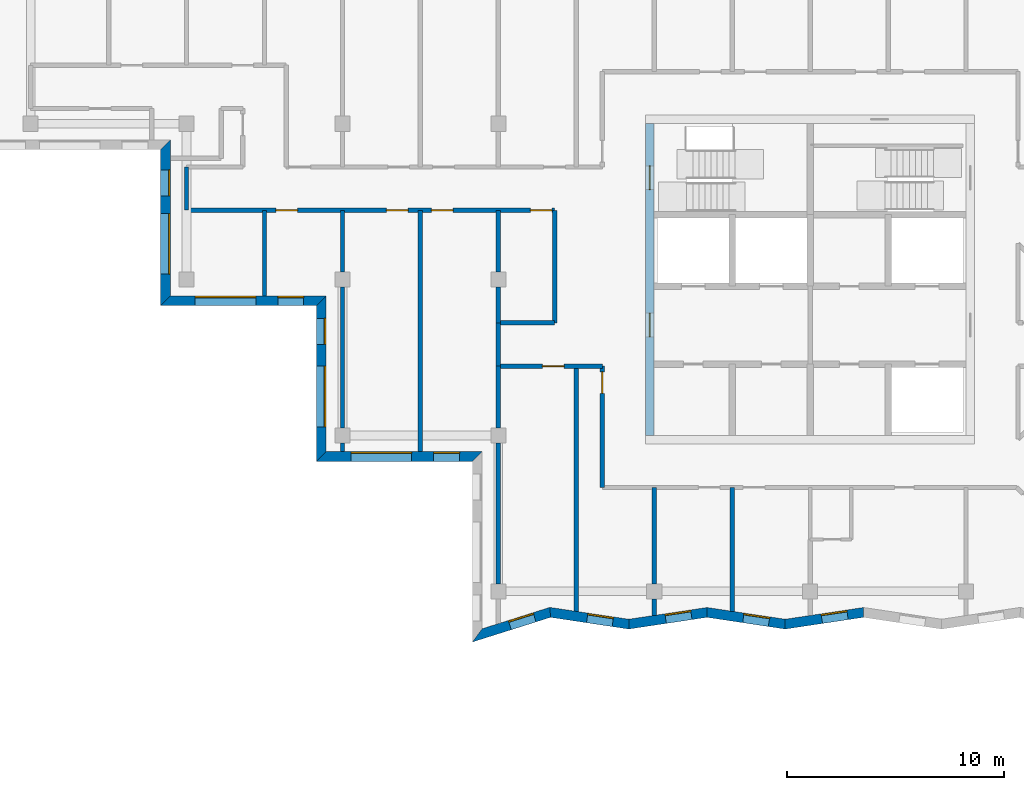
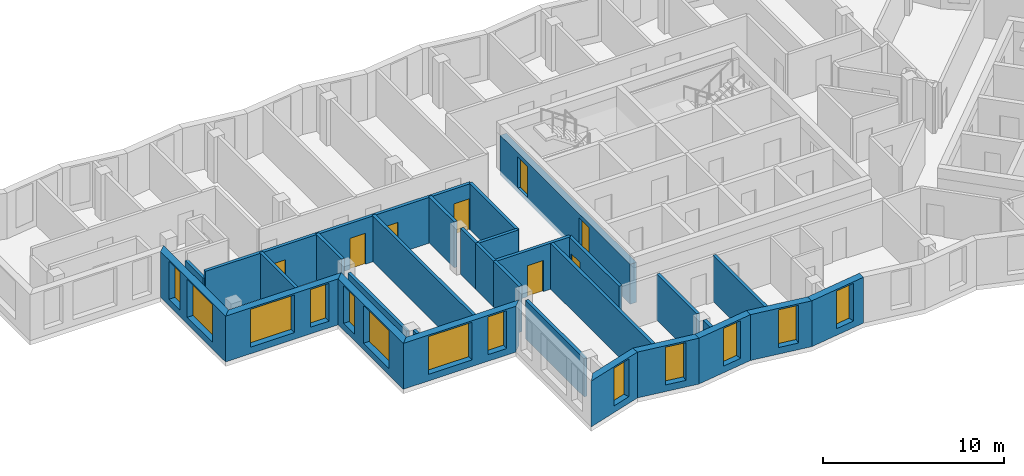
# One storey, part 2 of 11: 30 walls, 13 windows, 8 doors, 21 openings.
"""IFC4 building model written with IfcOpenShell, lengths in metres."""

from ifc_helpers import new_model, si_unit, direction, frame, frame_2d, origin, place, context, subcontext, project, spatial, polyline, rectangle, outline, extrude, material, layer, layer_set, type_object, element, fill, save


model = new_model("IFC4")

# Units and contexts
model_context = context("Model", 3, precision=1e-05, world=origin(), true_north=direction((0.0, 1.0)))
body_context = subcontext(model_context, "Body", "Model", "MODEL_VIEW")
ifc_project = project(units=[si_unit("LENGTHUNIT", "METRE"), si_unit("AREAUNIT", "SQUARE_METRE"), si_unit("VOLUMEUNIT", "CUBIC_METRE"), si_unit("PLANEANGLEUNIT", "RADIAN"), si_unit("MASSUNIT", "GRAM", prefix="KILO")], contexts=[model_context])

# Site, building, storey
site_placement = place(None, origin())
site = spatial("IfcSite", under=ifc_project, at=site_placement, CompositionType="ELEMENT")
building_placement = place(site_placement, origin())
building = spatial("IfcBuilding", under=site, at=building_placement, Name="Windrow Commons", CompositionType="ELEMENT")
storey_placement = place(building_placement, frame((0.0, 0.0, 271.0)))
storey = spatial("IfcBuildingStorey", under=building, at=storey_placement, Name="L74", CompositionType="ELEMENT", Elevation=271.0)

# Wall, openings, windows
ifc_material_1 = material(Name="Brick masonry, red clay brick", Category="masonry")
ifc_layer_1 = layer(ifc_material_1, 0.45)
ifc_layer_set_1 = layer_set([ifc_layer_1], Name="Brick facade wall 450")
wall_type_1 = type_object("IfcWallType", Name="Brick facade wall 450", PredefinedType="SOLIDWALL", material=ifc_layer_set_1)
wall_1_placement = place(storey_placement, frame((35.025, 63.825, 0.0), z_axis=(0.0, 0.0, 1.0), x_axis=(0.0, -1.0, 0.0)))
wall_1 = element("IfcWall", 1, at=wall_1_placement, inside=storey, type_object=wall_type_1, Name="Brick facade wall L74 33", PredefinedType="SOLIDWALL", context=body_context, shape_type="SweptSolid", body=[
    extrude(outline(polyline([(0.225, -0.225), (7.425, -0.225), (6.975, 0.225), (-0.225, 0.225), (0.225, -0.225)])), origin(), (0.0, 0.0, 1.0), 3.1),
])
opening_1_placement = place(wall_1_placement, frame((3.175, 0.0, 0.45)))
opening_1 = element("IfcOpeningElement", 2, at=opening_1_placement, cuts=wall_1, Name="Opening W1V", PredefinedType="OPENING", context=body_context, shape_type="SweptSolid", body=[
    extrude(rectangle(XDim=2.8, YDim=2.55, at=frame_2d((1.4, 1.275))), frame((0.0, 0.235, 0.0), z_axis=(0.0, -1.0, 0.0), x_axis=(1.0, 0.0, 0.0)), (0.0, 0.0, 1.0), 0.47),
])
opening_2_placement = place(wall_1_placement, frame((1.1625, 0.0, 0.45)))
opening_2 = element("IfcOpeningElement", 3, at=opening_2_placement, cuts=wall_1, Name="Opening W7F", PredefinedType="OPENING", context=body_context, shape_type="SweptSolid", body=[
    extrude(rectangle(XDim=1.2, YDim=2.55, at=frame_2d((0.6, 1.275))), frame((0.0, 0.235, 0.0), z_axis=(0.0, -1.0, 0.0), x_axis=(1.0, 0.0, 0.0)), (0.0, 0.0, 1.0), 0.47),
])
ifc_material_2 = material(Name="Clear float glass in anodised aluminium frame", Category="aluminium")
window_type_1 = type_object("IfcWindowType", Name="Window W1V bedroom 2800x2550", PartitioningType="SINGLE_PANEL", PredefinedType="WINDOW", material=ifc_material_2)
window_1_placement = place(opening_1_placement, origin())
window_1 = element("IfcWindow", 4, at=window_1_placement, inside=storey, type_object=window_type_1, Name="Window L74 33.1", OverallHeight=2.55, OverallWidth=2.8, PartitioningType="SINGLE_PANEL", PredefinedType="WINDOW", context=body_context, shape_type="SweptSolid", body=[
    extrude(rectangle(XDim=2.8, YDim=2.55, at=frame_2d((1.4, 1.275))), frame((0.0, 0.205, 0.0), z_axis=(0.0, -1.0, 0.0), x_axis=(1.0, 0.0, 0.0)), (0.0, 0.0, 1.0), 0.06),
])
fill(opening_1, window_1)
ifc_material_3 = material(Name="Clear float glass in anodised aluminium frame", Category="aluminium")
window_type_2 = type_object("IfcWindowType", Name="Window W7 notch 1200x2550", PartitioningType="SINGLE_PANEL", PredefinedType="WINDOW", material=ifc_material_3)
window_2_placement = place(opening_2_placement, origin())
window_2 = element("IfcWindow", 5, at=window_2_placement, inside=storey, type_object=window_type_2, Name="Window L74 33.2", OverallHeight=2.55, OverallWidth=1.2, PartitioningType="SINGLE_PANEL", PredefinedType="WINDOW", context=body_context, shape_type="SweptSolid", body=[
    extrude(rectangle(XDim=1.2, YDim=2.55, at=frame_2d((0.6, 1.275))), frame((0.0, 0.205, 0.0), z_axis=(0.0, -1.0, 0.0), x_axis=(1.0, 0.0, 0.0)), (0.0, 0.0, 1.0), 0.06),
])
fill(opening_2, window_2)

wall_2_placement = place(storey_placement, frame((35.025, 56.625, 0.0), z_axis=(0.0, 0.0, 1.0), x_axis=(1.0, 0.0, 0.0)))
wall_2 = element("IfcWall", 6, at=wall_2_placement, inside=storey, type_object=wall_type_1, Name="Brick facade wall L74 34", PredefinedType="SOLIDWALL", context=body_context, shape_type="SweptSolid", body=[
    extrude(outline(polyline([(-0.225, -0.225), (6.975, -0.225), (7.425, 0.225), (0.225, 0.225), (-0.225, -0.225)])), origin(), (0.0, 0.0, 1.0), 3.1),
])
opening_3_placement = place(wall_2_placement, frame((1.375, 0.0, 0.45)))
opening_3 = element("IfcOpeningElement", 7, at=opening_3_placement, cuts=wall_2, Name="Opening W1V", PredefinedType="OPENING", context=body_context, shape_type="SweptSolid", body=[
    extrude(rectangle(XDim=2.8, YDim=2.55, at=frame_2d((1.4, 1.275))), frame((0.0, 0.235, 0.0), z_axis=(0.0, -1.0, 0.0), x_axis=(1.0, 0.0, 0.0)), (0.0, 0.0, 1.0), 0.47),
])
opening_4_placement = place(wall_2_placement, frame((5.1875, 0.0, 0.45)))
opening_4 = element("IfcOpeningElement", 8, at=opening_4_placement, cuts=wall_2, Name="Opening W7F", PredefinedType="OPENING", context=body_context, shape_type="SweptSolid", body=[
    extrude(rectangle(XDim=1.2, YDim=2.55, at=frame_2d((0.6, 1.275))), frame((0.0, 0.235, 0.0), z_axis=(0.0, -1.0, 0.0), x_axis=(1.0, 0.0, 0.0)), (0.0, 0.0, 1.0), 0.47),
])
window_3_placement = place(opening_3_placement, origin())
window_3 = element("IfcWindow", 9, at=window_3_placement, inside=storey, type_object=window_type_1, Name="Window L74 34.1", OverallHeight=2.55, OverallWidth=2.8, PartitioningType="SINGLE_PANEL", PredefinedType="WINDOW", context=body_context, shape_type="SweptSolid", body=[
    extrude(rectangle(XDim=2.8, YDim=2.55, at=frame_2d((1.4, 1.275))), frame((0.0, 0.205, 0.0), z_axis=(0.0, -1.0, 0.0), x_axis=(1.0, 0.0, 0.0)), (0.0, 0.0, 1.0), 0.06),
])
fill(opening_3, window_3)
window_4_placement = place(opening_4_placement, origin())
window_4 = element("IfcWindow", 10, at=window_4_placement, inside=storey, type_object=window_type_2, Name="Window L74 34.2", OverallHeight=2.55, OverallWidth=1.2, PartitioningType="SINGLE_PANEL", PredefinedType="WINDOW", context=body_context, shape_type="SweptSolid", body=[
    extrude(rectangle(XDim=1.2, YDim=2.55, at=frame_2d((0.6, 1.275))), frame((0.0, 0.205, 0.0), z_axis=(0.0, -1.0, 0.0), x_axis=(1.0, 0.0, 0.0)), (0.0, 0.0, 1.0), 0.06),
])
fill(opening_4, window_4)

wall_3_placement = place(storey_placement, frame((42.225, 56.625, 0.0), z_axis=(0.0, 0.0, 1.0), x_axis=(0.0, -1.0, 0.0)))
wall_3 = element("IfcWall", 11, at=wall_3_placement, inside=storey, type_object=wall_type_1, Name="Brick facade wall L74 35", PredefinedType="SOLIDWALL", context=body_context, shape_type="SweptSolid", body=[
    extrude(outline(polyline([(0.225, -0.225), (7.425, -0.225), (6.975, 0.225), (-0.225, 0.225), (0.225, -0.225)])), origin(), (0.0, 0.0, 1.0), 3.1),
])
opening_5_placement = place(wall_3_placement, frame((3.025, 0.0, 0.45)))
opening_5 = element("IfcOpeningElement", 12, at=opening_5_placement, cuts=wall_3, Name="Opening W1V", PredefinedType="OPENING", context=body_context, shape_type="SweptSolid", body=[
    extrude(rectangle(XDim=2.8, YDim=2.55, at=frame_2d((1.4, 1.275))), frame((0.0, 0.235, 0.0), z_axis=(0.0, -1.0, 0.0), x_axis=(1.0, 0.0, 0.0)), (0.0, 0.0, 1.0), 0.47),
])
opening_6_placement = place(wall_3_placement, frame((0.8125, 0.0, 0.45)))
opening_6 = element("IfcOpeningElement", 13, at=opening_6_placement, cuts=wall_3, Name="Opening W7F", PredefinedType="OPENING", context=body_context, shape_type="SweptSolid", body=[
    extrude(rectangle(XDim=1.2, YDim=2.55, at=frame_2d((0.6, 1.275))), frame((0.0, 0.235, 0.0), z_axis=(0.0, -1.0, 0.0), x_axis=(1.0, 0.0, 0.0)), (0.0, 0.0, 1.0), 0.47),
])
window_5_placement = place(opening_5_placement, origin())
window_5 = element("IfcWindow", 14, at=window_5_placement, inside=storey, type_object=window_type_1, Name="Window L74 35.1", OverallHeight=2.55, OverallWidth=2.8, PartitioningType="SINGLE_PANEL", PredefinedType="WINDOW", context=body_context, shape_type="SweptSolid", body=[
    extrude(rectangle(XDim=2.8, YDim=2.55, at=frame_2d((1.4, 1.275))), frame((0.0, 0.205, 0.0), z_axis=(0.0, -1.0, 0.0), x_axis=(1.0, 0.0, 0.0)), (0.0, 0.0, 1.0), 0.06),
])
fill(opening_5, window_5)
window_6_placement = place(opening_6_placement, origin())
window_6 = element("IfcWindow", 15, at=window_6_placement, inside=storey, type_object=window_type_2, Name="Window L74 35.2", OverallHeight=2.55, OverallWidth=1.2, PartitioningType="SINGLE_PANEL", PredefinedType="WINDOW", context=body_context, shape_type="SweptSolid", body=[
    extrude(rectangle(XDim=1.2, YDim=2.55, at=frame_2d((0.6, 1.275))), frame((0.0, 0.205, 0.0), z_axis=(0.0, -1.0, 0.0), x_axis=(1.0, 0.0, 0.0)), (0.0, 0.0, 1.0), 0.06),
])
fill(opening_6, window_6)

wall_4_placement = place(storey_placement, frame((42.225, 49.425, 0.0), z_axis=(0.0, 0.0, 1.0), x_axis=(1.0, 0.0, 0.0)))
wall_4 = element("IfcWall", 16, at=wall_4_placement, inside=storey, type_object=wall_type_1, Name="Brick facade wall L74 36", PredefinedType="SOLIDWALL", context=body_context, shape_type="SweptSolid", body=[
    extrude(outline(polyline([(-0.225, -0.225), (6.975, -0.225), (7.425, 0.225), (0.225, 0.225), (-0.225, -0.225)])), origin(), (0.0, 0.0, 1.0), 3.1),
])
opening_7_placement = place(wall_4_placement, frame((1.375, 0.0, 0.45)))
opening_7 = element("IfcOpeningElement", 17, at=opening_7_placement, cuts=wall_4, Name="Opening W1V", PredefinedType="OPENING", context=body_context, shape_type="SweptSolid", body=[
    extrude(rectangle(XDim=2.8, YDim=2.55, at=frame_2d((1.4, 1.275))), frame((0.0, 0.235, 0.0), z_axis=(0.0, -1.0, 0.0), x_axis=(1.0, 0.0, 0.0)), (0.0, 0.0, 1.0), 0.47),
])
opening_8_placement = place(wall_4_placement, frame((5.1875, 0.0, 0.45)))
opening_8 = element("IfcOpeningElement", 18, at=opening_8_placement, cuts=wall_4, Name="Opening W7F", PredefinedType="OPENING", context=body_context, shape_type="SweptSolid", body=[
    extrude(rectangle(XDim=1.2, YDim=2.55, at=frame_2d((0.6, 1.275))), frame((0.0, 0.235, 0.0), z_axis=(0.0, -1.0, 0.0), x_axis=(1.0, 0.0, 0.0)), (0.0, 0.0, 1.0), 0.47),
])
window_7_placement = place(opening_7_placement, origin())
window_7 = element("IfcWindow", 19, at=window_7_placement, inside=storey, type_object=window_type_1, Name="Window L74 36.1", OverallHeight=2.55, OverallWidth=2.8, PartitioningType="SINGLE_PANEL", PredefinedType="WINDOW", context=body_context, shape_type="SweptSolid", body=[
    extrude(rectangle(XDim=2.8, YDim=2.55, at=frame_2d((1.4, 1.275))), frame((0.0, 0.205, 0.0), z_axis=(0.0, -1.0, 0.0), x_axis=(1.0, 0.0, 0.0)), (0.0, 0.0, 1.0), 0.06),
])
fill(opening_7, window_7)
window_8_placement = place(opening_8_placement, origin())
window_8 = element("IfcWindow", 20, at=window_8_placement, inside=storey, type_object=window_type_2, Name="Window L74 36.2", OverallHeight=2.55, OverallWidth=1.2, PartitioningType="SINGLE_PANEL", PredefinedType="WINDOW", context=body_context, shape_type="SweptSolid", body=[
    extrude(rectangle(XDim=1.2, YDim=2.55, at=frame_2d((0.6, 1.275))), frame((0.0, 0.205, 0.0), z_axis=(0.0, -1.0, 0.0), x_axis=(1.0, 0.0, 0.0)), (0.0, 0.0, 1.0), 0.06),
])
fill(opening_8, window_8)

# Wall, opening, window
wall_5_placement = place(storey_placement, frame((49.425, 41.1651, 0.0), z_axis=(0.0, 0.0, 1.0), x_axis=(0.9534872353, 0.3014333959, 0.0)))
wall_5 = element("IfcWall", 21, at=wall_5_placement, inside=storey, type_object=wall_type_1, Name="Brick facade wall L74 38", PredefinedType="SOLIDWALL", context=body_context, shape_type="SweptSolid", body=[
    extrude(outline(polyline([(-0.3071, -0.225), (3.4813, -0.225), (3.5856, 0.225), (0.3071, 0.225), (-0.3071, -0.225)])), origin(), (0.0, 0.0, 1.0), 3.1),
])
opening_9_placement = place(wall_5_placement, frame((1.578, 0.0, 0.45)))
opening_9 = element("IfcOpeningElement", 22, at=opening_9_placement, cuts=wall_5, Name="Opening W7F", PredefinedType="OPENING", context=body_context, shape_type="SweptSolid", body=[
    extrude(rectangle(XDim=1.2, YDim=2.55, at=frame_2d((0.6, 1.275))), frame((0.0, 0.235, 0.0), z_axis=(0.0, -1.0, 0.0), x_axis=(1.0, 0.0, 0.0)), (0.0, 0.0, 1.0), 0.47),
])
window_9_placement = place(opening_9_placement, origin())
window_9 = element("IfcWindow", 23, at=window_9_placement, inside=storey, type_object=window_type_2, Name="Window L74 38.1", OverallHeight=2.55, OverallWidth=1.2, PartitioningType="SINGLE_PANEL", PredefinedType="WINDOW", context=body_context, shape_type="SweptSolid", body=[
    extrude(rectangle(XDim=1.2, YDim=2.55, at=frame_2d((0.6, 1.275))), frame((0.0, 0.205, 0.0), z_axis=(0.0, -1.0, 0.0), x_axis=(1.0, 0.0, 0.0)), (0.0, 0.0, 1.0), 0.06),
])
fill(opening_9, window_9)

wall_6_placement = place(storey_placement, frame((52.7941, 42.2302, 0.0), z_axis=(0.0, 0.0, 1.0), x_axis=(0.9889307576, -0.14837775, 0.0)))
wall_6 = element("IfcWall", 24, at=wall_6_placement, inside=storey, type_object=wall_type_1, Name="Brick facade wall L74 39", PredefinedType="SOLIDWALL", context=body_context, shape_type="SweptSolid", body=[
    extrude(outline(polyline([(0.0521, -0.225), (3.7048, -0.225), (3.6373, 0.225), (-0.0521, 0.225), (0.0521, -0.225)])), origin(), (0.0, 0.0, 1.0), 3.1),
])
opening_10_placement = place(wall_6_placement, frame((1.7283, 0.0, 0.45)))
opening_10 = element("IfcOpeningElement", 25, at=opening_10_placement, cuts=wall_6, Name="Opening W7F", PredefinedType="OPENING", context=body_context, shape_type="SweptSolid", body=[
    extrude(rectangle(XDim=1.2, YDim=2.55, at=frame_2d((0.6, 1.275))), frame((0.0, 0.235, 0.0), z_axis=(0.0, -1.0, 0.0), x_axis=(1.0, 0.0, 0.0)), (0.0, 0.0, 1.0), 0.47),
])
window_10_placement = place(opening_10_placement, origin())
window_10 = element("IfcWindow", 26, at=window_10_placement, inside=storey, type_object=window_type_2, Name="Window L74 39.1", OverallHeight=2.55, OverallWidth=1.2, PartitioningType="SINGLE_PANEL", PredefinedType="WINDOW", context=body_context, shape_type="SweptSolid", body=[
    extrude(rectangle(XDim=1.2, YDim=2.55, at=frame_2d((0.6, 1.275))), frame((0.0, 0.205, 0.0), z_axis=(0.0, -1.0, 0.0), x_axis=(1.0, 0.0, 0.0)), (0.0, 0.0, 1.0), 0.06),
])
fill(opening_10, window_10)

wall_7_placement = place(storey_placement, frame((56.4245, 41.6855, 0.0), z_axis=(0.0, 0.0, 1.0), x_axis=(0.9889295242, 0.1483859704, 0.0)))
wall_7 = element("IfcWall", 27, at=wall_7_placement, inside=storey, type_object=wall_type_1, Name="Brick facade wall L74 40", PredefinedType="SOLIDWALL", context=body_context, shape_type="SweptSolid", body=[
    extrude(outline(polyline([(-0.0338, -0.225), (3.6189, -0.225), (3.6864, 0.225), (0.0338, 0.225), (-0.0338, -0.225)])), origin(), (0.0, 0.0, 1.0), 3.1),
])
opening_11_placement = place(wall_7_placement, frame((1.7207, 0.0, 0.45)))
opening_11 = element("IfcOpeningElement", 28, at=opening_11_placement, cuts=wall_7, Name="Opening W7F", PredefinedType="OPENING", context=body_context, shape_type="SweptSolid", body=[
    extrude(rectangle(XDim=1.2, YDim=2.55, at=frame_2d((0.6, 1.275))), frame((0.0, 0.235, 0.0), z_axis=(0.0, -1.0, 0.0), x_axis=(1.0, 0.0, 0.0)), (0.0, 0.0, 1.0), 0.47),
])
window_11_placement = place(opening_11_placement, origin())
window_11 = element("IfcWindow", 29, at=window_11_placement, inside=storey, type_object=window_type_2, Name="Window L74 40.1", OverallHeight=2.55, OverallWidth=1.2, PartitioningType="SINGLE_PANEL", PredefinedType="WINDOW", context=body_context, shape_type="SweptSolid", body=[
    extrude(rectangle(XDim=1.2, YDim=2.55, at=frame_2d((0.6, 1.275))), frame((0.0, 0.205, 0.0), z_axis=(0.0, -1.0, 0.0), x_axis=(1.0, 0.0, 0.0)), (0.0, 0.0, 1.0), 0.06),
])
fill(opening_11, window_11)

wall_8_placement = place(storey_placement, frame((60.0367, 42.2275, 0.0), z_axis=(0.0, 0.0, 1.0), x_axis=(0.9889295242, -0.1483859704, 0.0)))
wall_8 = element("IfcWall", 30, at=wall_8_placement, inside=storey, type_object=wall_type_1, Name="Brick facade wall L74 41", PredefinedType="SOLIDWALL", context=body_context, shape_type="SweptSolid", body=[
    extrude(outline(polyline([(0.0338, -0.225), (3.6864, -0.225), (3.6189, 0.225), (-0.0338, 0.225), (0.0338, -0.225)])), origin(), (0.0, 0.0, 1.0), 3.1),
])
opening_12_placement = place(wall_8_placement, frame((1.6976, 0.0, 0.45)))
opening_12 = element("IfcOpeningElement", 31, at=opening_12_placement, cuts=wall_8, Name="Opening W7F", PredefinedType="OPENING", context=body_context, shape_type="SweptSolid", body=[
    extrude(rectangle(XDim=1.2, YDim=2.55, at=frame_2d((0.6, 1.275))), frame((0.0, 0.235, 0.0), z_axis=(0.0, -1.0, 0.0), x_axis=(1.0, 0.0, 0.0)), (0.0, 0.0, 1.0), 0.47),
])
window_12_placement = place(opening_12_placement, origin())
window_12 = element("IfcWindow", 32, at=window_12_placement, inside=storey, type_object=window_type_2, Name="Window L74 41.1", OverallHeight=2.55, OverallWidth=1.2, PartitioningType="SINGLE_PANEL", PredefinedType="WINDOW", context=body_context, shape_type="SweptSolid", body=[
    extrude(rectangle(XDim=1.2, YDim=2.55, at=frame_2d((0.6, 1.275))), frame((0.0, 0.205, 0.0), z_axis=(0.0, -1.0, 0.0), x_axis=(1.0, 0.0, 0.0)), (0.0, 0.0, 1.0), 0.06),
])
fill(opening_12, window_12)

wall_9_placement = place(storey_placement, frame((63.6489, 41.6855, 0.0), z_axis=(0.0, 0.0, 1.0), x_axis=(0.988930127, 0.148381953, 0.0)))
wall_9 = element("IfcWall", 33, at=wall_9_placement, inside=storey, type_object=wall_type_1, Name="Brick facade wall L74 42", PredefinedType="SOLIDWALL", context=body_context, shape_type="SweptSolid", body=[
    extrude(outline(polyline([(-0.0338, -0.225), (3.6189, -0.225), (3.6864, 0.225), (0.0338, 0.225), (-0.0338, -0.225)])), origin(), (0.0, 0.0, 1.0), 3.1),
])
opening_13_placement = place(wall_9_placement, frame((1.7083, 0.0, 0.45)))
opening_13 = element("IfcOpeningElement", 34, at=opening_13_placement, cuts=wall_9, Name="Opening W7F", PredefinedType="OPENING", context=body_context, shape_type="SweptSolid", body=[
    extrude(rectangle(XDim=1.2, YDim=2.55, at=frame_2d((0.6, 1.275))), frame((0.0, 0.235, 0.0), z_axis=(0.0, -1.0, 0.0), x_axis=(1.0, 0.0, 0.0)), (0.0, 0.0, 1.0), 0.47),
])
window_13_placement = place(opening_13_placement, origin())
window_13 = element("IfcWindow", 35, at=window_13_placement, inside=storey, type_object=window_type_2, Name="Window L74 42.1", OverallHeight=2.55, OverallWidth=1.2, PartitioningType="SINGLE_PANEL", PredefinedType="WINDOW", context=body_context, shape_type="SweptSolid", body=[
    extrude(rectangle(XDim=1.2, YDim=2.55, at=frame_2d((0.6, 1.275))), frame((0.0, 0.205, 0.0), z_axis=(0.0, -1.0, 0.0), x_axis=(1.0, 0.0, 0.0)), (0.0, 0.0, 1.0), 0.06),
])
fill(opening_13, window_13)

# Wall, openings, doors
ifc_material_4 = material(Name="Blockwork partition", Category="masonry")
ifc_layer_2 = layer(ifc_material_4, 0.2)
ifc_layer_set_2 = layer_set([ifc_layer_2], Name="IW-CORRIDOR-200")
wall_type_2 = type_object("IfcWallType", Name="IW-CORRIDOR-200", PredefinedType="PARTITIONING", material=ifc_layer_set_2)
wall_10_placement = place(storey_placement, frame((36.002, 60.8, 0.0), z_axis=(0.0, 0.0, 1.0), x_axis=(1.0, 0.0, 0.0)))
wall_10 = element("IfcWall", 36, at=wall_10_placement, inside=storey, type_object=wall_type_2, Name="W-L74-W002", PredefinedType="PARTITIONING", context=body_context, shape_type="SweptSolid", body=[
    extrude(rectangle(XDim=16.998, YDim=0.2, at=frame_2d((8.499, 0.0))), origin(), (0.0, 0.0, 1.0), 3.1),
])
opening_14_placement = place(wall_10_placement, frame((4.123, 0.0, 0.0)))
opening_14 = element("IfcOpeningElement", 37, at=opening_14_placement, cuts=wall_10, Name="Opening D310F", PredefinedType="OPENING", context=body_context, shape_type="SweptSolid", body=[
    extrude(rectangle(XDim=1.0, YDim=2.1, at=frame_2d((0.5, 1.05))), frame((0.0, 0.11, 0.0), z_axis=(0.0, -1.0, 0.0), x_axis=(1.0, 0.0, 0.0)), (0.0, 0.0, 1.0), 0.22),
])
opening_15_placement = place(wall_10_placement, frame((9.2305, 0.0, 0.0)))
opening_15 = element("IfcOpeningElement", 38, at=opening_15_placement, cuts=wall_10, Name="Opening D310F", PredefinedType="OPENING", context=body_context, shape_type="SweptSolid", body=[
    extrude(rectangle(XDim=1.0, YDim=2.1, at=frame_2d((0.5, 1.05))), frame((0.0, 0.11, 0.0), z_axis=(0.0, -1.0, 0.0), x_axis=(1.0, 0.0, 0.0)), (0.0, 0.0, 1.0), 0.22),
])
opening_16_placement = place(wall_10_placement, frame((11.3055, 0.0, 0.0)))
opening_16 = element("IfcOpeningElement", 39, at=opening_16_placement, cuts=wall_10, Name="Opening D310F", PredefinedType="OPENING", context=body_context, shape_type="SweptSolid", body=[
    extrude(rectangle(XDim=1.0, YDim=2.1, at=frame_2d((0.5, 1.05))), frame((0.0, 0.11, 0.0), z_axis=(0.0, -1.0, 0.0), x_axis=(1.0, 0.0, 0.0)), (0.0, 0.0, 1.0), 0.22),
])
opening_17_placement = place(wall_10_placement, frame((15.8721, 0.0, 0.0)))
opening_17 = element("IfcOpeningElement", 40, at=opening_17_placement, cuts=wall_10, Name="Opening D310F", PredefinedType="OPENING", context=body_context, shape_type="SweptSolid", body=[
    extrude(rectangle(XDim=1.0, YDim=2.1, at=frame_2d((0.5, 1.05))), frame((0.0, 0.11, 0.0), z_axis=(0.0, -1.0, 0.0), x_axis=(1.0, 0.0, 0.0)), (0.0, 0.0, 1.0), 0.22),
])
ifc_material_5 = material(Name="Timber door leaf", Category="wood")
door_type_1 = type_object("IfcDoorType", Name="DT-AMENITY-1000", OperationType="SINGLE_SWING_LEFT", PredefinedType="DOOR", material=ifc_material_5)
door_1_placement = place(opening_14_placement, origin())
door_1 = element("IfcDoor", 41, at=door_1_placement, inside=storey, type_object=door_type_1, Name="D-L74-D002", OperationType="SINGLE_SWING_RIGHT", OverallHeight=2.1, OverallWidth=1.0, PredefinedType="DOOR", context=body_context, shape_type="SweptSolid", body=[
    extrude(rectangle(XDim=1.0, YDim=2.1, at=frame_2d((0.5, 1.05))), frame((0.0, 0.025, 0.0), z_axis=(0.0, -1.0, 0.0), x_axis=(1.0, 0.0, 0.0)), (0.0, 0.0, 1.0), 0.05),
])
fill(opening_14, door_1)
door_2_placement = place(opening_15_placement, origin())
door_2 = element("IfcDoor", 42, at=door_2_placement, inside=storey, type_object=door_type_1, Name="D-L74-D003", OperationType="SINGLE_SWING_LEFT", OverallHeight=2.1, OverallWidth=1.0, PredefinedType="DOOR", context=body_context, shape_type="SweptSolid", body=[
    extrude(rectangle(XDim=1.0, YDim=2.1, at=frame_2d((0.5, 1.05))), frame((0.0, 0.025, 0.0), z_axis=(0.0, -1.0, 0.0), x_axis=(1.0, 0.0, 0.0)), (0.0, 0.0, 1.0), 0.05),
])
fill(opening_15, door_2)
door_3_placement = place(opening_16_placement, origin())
door_3 = element("IfcDoor", 43, at=door_3_placement, inside=storey, type_object=door_type_1, Name="D-L74-D004", OperationType="SINGLE_SWING_RIGHT", OverallHeight=2.1, OverallWidth=1.0, PredefinedType="DOOR", context=body_context, shape_type="SweptSolid", body=[
    extrude(rectangle(XDim=1.0, YDim=2.1, at=frame_2d((0.5, 1.05))), frame((0.0, 0.025, 0.0), z_axis=(0.0, -1.0, 0.0), x_axis=(1.0, 0.0, 0.0)), (0.0, 0.0, 1.0), 0.05),
])
fill(opening_16, door_3)
door_4_placement = place(opening_17_placement, origin())
door_4 = element("IfcDoor", 44, at=door_4_placement, inside=storey, type_object=door_type_1, Name="D-L74-D005", OperationType="SINGLE_SWING_LEFT", OverallHeight=2.1, OverallWidth=1.0, PredefinedType="DOOR", context=body_context, shape_type="SweptSolid", body=[
    extrude(rectangle(XDim=1.0, YDim=2.1, at=frame_2d((0.5, 1.05))), frame((0.0, 0.025, 0.0), z_axis=(0.0, -1.0, 0.0), x_axis=(1.0, 0.0, 0.0)), (0.0, 0.0, 1.0), 0.05),
])
fill(opening_17, door_4)

# Wall, opening, door
wall_11_placement = place(storey_placement, frame((55.2, 48.0, 0.0), z_axis=(0.0, 0.0, 1.0), x_axis=(0.0, 1.0, 0.0)))
wall_11 = element("IfcWall", 45, at=wall_11_placement, inside=storey, type_object=wall_type_2, Name="W-L74-W026", PredefinedType="PARTITIONING", context=body_context, shape_type="SweptSolid", body=[
    extrude(rectangle(XDim=5.6, YDim=0.2, at=frame_2d((2.8, 0.0))), origin(), (0.0, 0.0, 1.0), 3.1),
])
opening_18_placement = place(wall_11_placement, frame((4.3396, 0.0, 0.0)))
opening_18 = element("IfcOpeningElement", 46, at=opening_18_placement, cuts=wall_11, Name="Opening D310F", PredefinedType="OPENING", context=body_context, shape_type="SweptSolid", body=[
    extrude(rectangle(XDim=1.0, YDim=2.1, at=frame_2d((0.5, 1.05))), frame((0.0, 0.11, 0.0), z_axis=(0.0, -1.0, 0.0), x_axis=(1.0, 0.0, 0.0)), (0.0, 0.0, 1.0), 0.22),
])
door_5_placement = place(opening_18_placement, origin())
door_5 = element("IfcDoor", 47, at=door_5_placement, inside=storey, type_object=door_type_1, Name="D-L74-D007", OperationType="SINGLE_SWING_RIGHT", OverallHeight=2.1, OverallWidth=1.0, PredefinedType="DOOR", context=body_context, shape_type="SweptSolid", body=[
    extrude(rectangle(XDim=1.0, YDim=2.1, at=frame_2d((0.5, 1.05))), frame((0.0, 0.025, 0.0), z_axis=(0.0, -1.0, 0.0), x_axis=(1.0, 0.0, 0.0)), (0.0, 0.0, 1.0), 0.05),
])
fill(opening_18, door_5)

# Wall
wall_12_placement = place(storey_placement, frame((53.0, 55.602, 0.0), z_axis=(0.0, 0.0, 1.0), x_axis=(0.0, 1.0, 0.0)))
element("IfcWall", 48, at=wall_12_placement, inside=storey, type_object=wall_type_2, Name="W-L74-W032", PredefinedType="PARTITIONING", context=body_context, shape_type="SweptSolid", body=[
    extrude(rectangle(XDim=5.198, YDim=0.2, at=frame_2d((2.599, 0.0))), origin(), (0.0, 0.0, 1.0), 3.1),
])

# Wall, opening, door
wall_13_placement = place(storey_placement, frame((50.4, 53.6, 0.0), z_axis=(0.0, 0.0, 1.0), x_axis=(1.0, 0.0, 0.0)))
wall_13 = element("IfcWall", 49, at=wall_13_placement, inside=storey, type_object=wall_type_2, Name="W-L74-W033", PredefinedType="PARTITIONING", context=body_context, shape_type="SweptSolid", body=[
    extrude(rectangle(XDim=4.8, YDim=0.2, at=frame_2d((2.4, 0.0))), origin(), (0.0, 0.0, 1.0), 3.1),
])
opening_19_placement = place(wall_13_placement, frame((2.0325, 0.0, 0.0)))
opening_19 = element("IfcOpeningElement", 50, at=opening_19_placement, cuts=wall_13, Name="Opening D310F", PredefinedType="OPENING", context=body_context, shape_type="SweptSolid", body=[
    extrude(rectangle(XDim=1.0, YDim=2.1, at=frame_2d((0.5, 1.05))), frame((0.0, 0.11, 0.0), z_axis=(0.0, -1.0, 0.0), x_axis=(1.0, 0.0, 0.0)), (0.0, 0.0, 1.0), 0.22),
])
door_6_placement = place(opening_19_placement, origin())
door_6 = element("IfcDoor", 51, at=door_6_placement, inside=storey, type_object=door_type_1, Name="D-L74-D006", OperationType="SINGLE_SWING_LEFT", OverallHeight=2.1, OverallWidth=1.0, PredefinedType="DOOR", context=body_context, shape_type="SweptSolid", body=[
    extrude(rectangle(XDim=1.0, YDim=2.1, at=frame_2d((0.5, 1.05))), frame((0.0, 0.025, 0.0), z_axis=(0.0, -1.0, 0.0), x_axis=(1.0, 0.0, 0.0)), (0.0, 0.0, 1.0), 0.05),
])
fill(opening_19, door_6)

# Walls
wall_14_placement = place(storey_placement, frame((50.4, 55.6, 0.0), z_axis=(0.0, 0.0, 1.0), x_axis=(1.0, 0.0, 0.0)))
element("IfcWall", 52, at=wall_14_placement, inside=storey, type_object=wall_type_2, Name="W-L74-W066", PredefinedType="PARTITIONING", context=body_context, shape_type="SweptSolid", body=[
    extrude(rectangle(XDim=2.6, YDim=0.2, at=frame_2d((1.3, 0.0))), origin(), (0.0, 0.0, 1.0), 3.1),
])
wall_15_placement = place(storey_placement, frame((50.4, 53.6, 0.0), z_axis=(0.0, 0.0, 1.0), x_axis=(0.0, 1.0, 0.0)))
element("IfcWall", 53, at=wall_15_placement, inside=storey, type_object=wall_type_2, Name="W-L74-W079", PredefinedType="PARTITIONING", context=body_context, shape_type="SweptSolid", body=[
    extrude(rectangle(XDim=2.0, YDim=0.2, at=frame_2d((1.0, 0.0))), origin(), (0.0, 0.0, 1.0), 3.1),
])
wall_16_placement = place(storey_placement, frame((36.0, 60.802, 0.0), z_axis=(0.0, 0.0, 1.0), x_axis=(0.0, 1.0, 0.0)))
element("IfcWall", 54, at=wall_16_placement, inside=storey, type_object=wall_type_2, Name="W-L74-W083", PredefinedType="PARTITIONING", context=body_context, shape_type="SweptSolid", body=[
    extrude(rectangle(XDim=1.996, YDim=0.2, at=frame_2d((0.998, 0.0))), origin(), (0.0, 0.0, 1.0), 2.6),
])
ifc_material_6 = material(Name="Blockwork partition", Category="masonry")
ifc_layer_3 = layer(ifc_material_6, 0.2)
ifc_layer_set_3 = layer_set([ifc_layer_3], Name="IW-PARTY-200")
wall_type_3 = type_object("IfcWallType", Name="IW-PARTY-200", PredefinedType="PARTITIONING", material=ifc_layer_set_3)
wall_17_placement = place(storey_placement, frame((54.0, 42.2768, 0.0), z_axis=(0.0, 0.0, 1.0), x_axis=(0.0, 1.0, 0.0)))
element("IfcWall", 55, at=wall_17_placement, inside=storey, type_object=wall_type_3, Name="W-L74-W006", PredefinedType="PARTITIONING", context=body_context, shape_type="SweptSolid", body=[
    extrude(rectangle(XDim=11.3232, YDim=0.2, at=frame_2d((5.6616, 0.0))), origin(), (0.0, 0.0, 1.0), 3.1),
])
wall_18_placement = place(storey_placement, frame((46.8, 49.65, 0.0), z_axis=(0.0, 0.0, 1.0), x_axis=(0.0, 1.0, 0.0)))
element("IfcWall", 56, at=wall_18_placement, inside=storey, type_object=wall_type_3, Name="W-L74-W007", PredefinedType="PARTITIONING", context=body_context, shape_type="SweptSolid", body=[
    extrude(rectangle(XDim=11.15, YDim=0.2, at=frame_2d((5.575, 0.0))), origin(), (0.0, 0.0, 1.0), 3.1),
])
for number, where, z_axis, x_axis, name in (
    (57, (43.2, 50.75, 0.0), (0.0, 0.0, 1.0), (0.0, 1.0, 0.0), "W-L74-W016"),
    (58, (50.4, 43.55, 0.0), (0.0, 0.0, 1.0), (0.0, 1.0, 0.0), "W-L74-W018"),
):
    element("IfcWall", number, at=place(storey_placement, frame(where, z_axis=z_axis, x_axis=x_axis)), inside=storey, type_object=wall_type_3, Name=name, PredefinedType="PARTITIONING", context=body_context, shape_type="SweptSolid", body=[
        extrude(rectangle(XDim=6.5, YDim=0.2, at=frame_2d((3.25, 0.0))), origin(), (0.0, 0.0, 1.0), 2.6),
    ])
wall_19_placement = place(storey_placement, frame((61.2, 42.2805, 0.0), z_axis=(0.0, 0.0, 1.0), x_axis=(0.0, 1.0, 0.0)))
element("IfcWall", 59, at=wall_19_placement, inside=storey, type_object=wall_type_3, Name="W-L74-W025", PredefinedType="PARTITIONING", context=body_context, shape_type="SweptSolid", body=[
    extrude(rectangle(XDim=5.7195, YDim=0.2, at=frame_2d((2.8598, 0.0))), origin(), (0.0, 0.0, 1.0), 3.1),
])
wall_20_placement = place(storey_placement, frame((57.6, 43.55, 0.0), z_axis=(0.0, 0.0, 1.0), x_axis=(0.0, 1.0, 0.0)))
element("IfcWall", 60, at=wall_20_placement, inside=storey, type_object=wall_type_3, Name="W-L74-W041", PredefinedType="PARTITIONING", context=body_context, shape_type="SweptSolid", body=[
    extrude(rectangle(XDim=4.45, YDim=0.2, at=frame_2d((2.225, 0.0))), origin(), (0.0, 0.0, 1.0), 3.1),
])
wall_21_placement = place(storey_placement, frame((39.6, 56.85, 0.0), z_axis=(0.0, 0.0, 1.0), x_axis=(0.0, 1.0, 0.0)))
element("IfcWall", 61, at=wall_21_placement, inside=storey, type_object=wall_type_3, Name="W-L74-W049", PredefinedType="PARTITIONING", context=body_context, shape_type="SweptSolid", body=[
    extrude(rectangle(XDim=3.95, YDim=0.2, at=frame_2d((1.975, 0.0))), origin(), (0.0, 0.0, 1.0), 3.1),
])
for number, where, z_axis, x_axis, name in (
    (62, (50.4, 50.75, 0.0), (0.0, 0.0, 1.0), (0.0, 1.0, 0.0), "W-L74-W059"),
    (63, (43.2, 57.95, 0.0), (0.0, 0.0, 1.0), (0.0, 1.0, 0.0), "W-L74-W060"),
    (64, (50.4, 57.95, 0.0), (0.0, 0.0, 1.0), (0.0, 1.0, 0.0), "W-L74-W061"),
):
    element("IfcWall", number, at=place(storey_placement, frame(where, z_axis=z_axis, x_axis=x_axis)), inside=storey, type_object=wall_type_3, Name=name, PredefinedType="PARTITIONING", context=body_context, shape_type="SweptSolid", body=[
        extrude(rectangle(XDim=2.85, YDim=0.2, at=frame_2d((1.425, 0.0))), origin(), (0.0, 0.0, 1.0), 3.1),
    ])
wall_22_placement = place(storey_placement, frame((50.4, 55.6, 0.0), z_axis=(0.0, 0.0, 1.0), x_axis=(0.0, 1.0, 0.0)))
element("IfcWall", 65, at=wall_22_placement, inside=storey, type_object=wall_type_3, Name="W-L74-W089", PredefinedType="PARTITIONING", context=body_context, shape_type="SweptSolid", body=[
    extrude(rectangle(XDim=1.65, YDim=0.2, at=frame_2d((0.825, 0.0))), origin(), (0.0, 0.0, 1.0), 3.1),
])
wall_23_placement = place(storey_placement, frame((57.6, 42.0894, 0.0), z_axis=(0.0, 0.0, 1.0), x_axis=(0.0, 1.0, 0.0)))
element("IfcWall", 66, at=wall_23_placement, inside=storey, type_object=wall_type_3, Name="W-L74-W106", PredefinedType="PARTITIONING", context=body_context, shape_type="SweptSolid", body=[
    extrude(rectangle(XDim=0.7606, YDim=0.2, at=frame_2d((0.3803, 0.0))), origin(), (0.0, 0.0, 1.0), 3.1),
])
wall_24_placement = place(storey_placement, frame((43.2, 49.65, 0.0), z_axis=(0.0, 0.0, 1.0), x_axis=(0.0, 1.0, 0.0)))
element("IfcWall", 67, at=wall_24_placement, inside=storey, type_object=wall_type_3, Name="W-L74-W124", PredefinedType="PARTITIONING", context=body_context, shape_type="SweptSolid", body=[
    extrude(rectangle(XDim=0.4, YDim=0.2, at=frame_2d((0.2, 0.0))), origin(), (0.0, 0.0, 1.0), 3.1),
])

# Wall, openings, doors
ifc_material_7 = material(Name="Concrete C40/50", Category="concrete")
ifc_layer_4 = layer(ifc_material_7, 0.4)
ifc_layer_set_4 = layer_set([ifc_layer_4], Name="RC CORE WALL 400 C40/50")
wall_type_4 = type_object("IfcWallType", Name="RC CORE WALL 400 C40/50", PredefinedType="SHEAR", material=ifc_layer_set_4)
wall_25_placement = place(storey_placement, frame((57.4, 50.4, -0.3), z_axis=(0.0, 0.0, 1.0), x_axis=(0.0, 1.0, 0.0)))
wall_25 = element("IfcWall", 68, at=wall_25_placement, inside=storey, type_object=wall_type_4, Name="Core A wall outer-W", PredefinedType="SHEAR", context=body_context, shape_type="SweptSolid", body=[
    extrude(rectangle(XDim=14.4, YDim=0.4, at=frame_2d((7.2, 0.0))), origin(), (0.0, 0.0, 1.0), 2.7),
])
opening_20_placement = place(wall_25_placement, frame((4.55, 0.0, 0.3)))
opening_20 = element("IfcOpeningElement", 69, at=opening_20_placement, cuts=wall_25, Name="Opening D6", PredefinedType="OPENING", context=body_context, shape_type="SweptSolid", body=[
    extrude(rectangle(XDim=1.1, YDim=2.1, at=frame_2d((0.55, 1.05))), frame((0.0, 0.21, 0.0), z_axis=(0.0, -1.0, 0.0), x_axis=(1.0, 0.0, 0.0)), (0.0, 0.0, 1.0), 0.42),
])
opening_21_placement = place(wall_25_placement, frame((11.35, 0.0, 0.3)))
opening_21 = element("IfcOpeningElement", 70, at=opening_21_placement, cuts=wall_25, Name="Opening D7", PredefinedType="OPENING", context=body_context, shape_type="SweptSolid", body=[
    extrude(rectangle(XDim=1.1, YDim=2.1, at=frame_2d((0.55, 1.05))), frame((0.0, 0.21, 0.0), z_axis=(0.0, -1.0, 0.0), x_axis=(1.0, 0.0, 0.0)), (0.0, 0.0, 1.0), 0.42),
])
ifc_material_8 = material(Name="Steel fire door leaf", Category="steel")
door_type_2 = type_object("IfcDoorType", Name="Core lobby door 1100", OperationType="SINGLE_SWING_LEFT", PredefinedType="DOOR", material=ifc_material_8)
door_7_placement = place(opening_20_placement, origin())
door_7 = element("IfcDoor", 71, at=door_7_placement, inside=storey, type_object=door_type_2, Name="Lift lobby door", OperationType="DOUBLE_DOOR_SINGLE_SWING", OverallHeight=2.1, OverallWidth=1.1, PredefinedType="DOOR", context=body_context, shape_type="SweptSolid", body=[
    extrude(rectangle(XDim=1.1, YDim=2.1, at=frame_2d((0.55, 1.05))), frame((0.0, 0.025, 0.0), z_axis=(0.0, -1.0, 0.0), x_axis=(1.0, 0.0, 0.0)), (0.0, 0.0, 1.0), 0.05),
])
fill(opening_20, door_7)
ifc_material_9 = material(Name="Steel fire door leaf", Category="steel")
door_type_3 = type_object("IfcDoorType", Name="Stair door 1100", OperationType="SINGLE_SWING_LEFT", PredefinedType="DOOR", material=ifc_material_9)
door_8_placement = place(opening_21_placement, origin())
door_8 = element("IfcDoor", 72, at=door_8_placement, inside=storey, type_object=door_type_3, Name="Stair door", OperationType="SINGLE_SWING_LEFT", OverallHeight=2.1, OverallWidth=1.1, PredefinedType="DOOR", context=body_context, shape_type="SweptSolid", body=[
    extrude(rectangle(XDim=1.1, YDim=2.1, at=frame_2d((0.55, 1.05))), frame((0.0, 0.025, 0.0), z_axis=(0.0, -1.0, 0.0), x_axis=(1.0, 0.0, 0.0)), (0.0, 0.0, 1.0), 0.05),
])
fill(opening_21, door_8)

save(model, "model.ifc")
